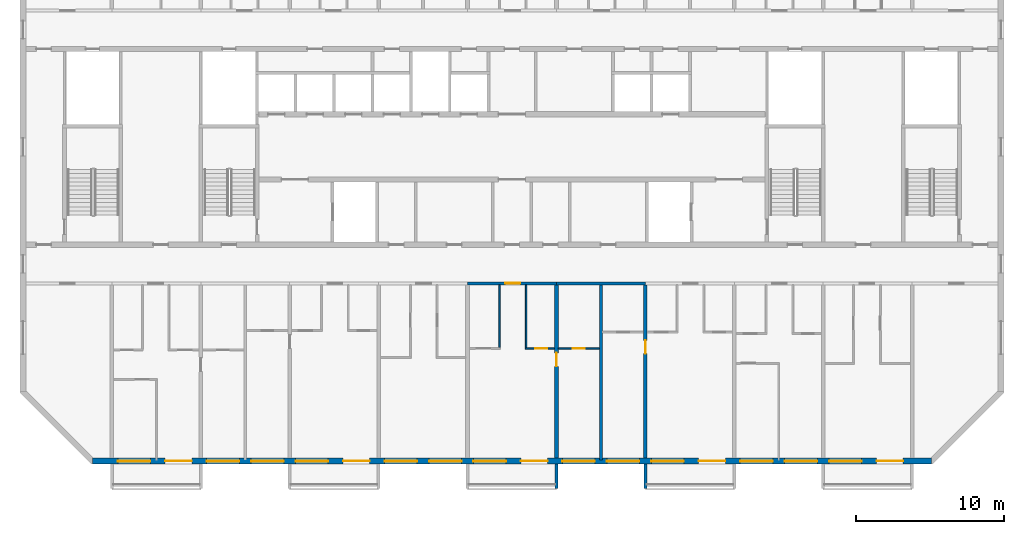
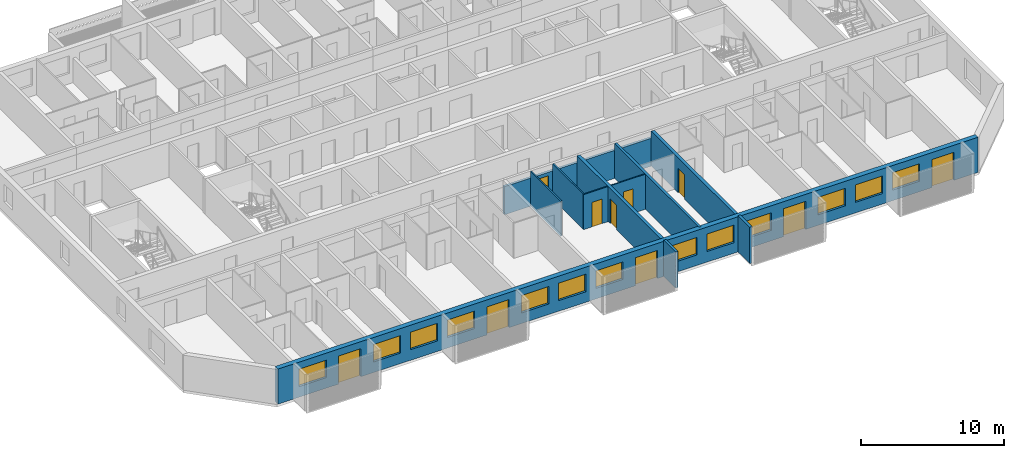
# One storey, part 6 of 20: 13 windows, 12 walls, 10 doors, 23 openings.
"""IFC4 building model written with IfcOpenShell, lengths in metres."""

from ifc_helpers import new_model, si_unit, direction, frame, frame_2d, origin, place, context, subcontext, project, spatial, polyline, rectangle, outline, extrude, source, transform, mapped, material, layer, layer_set, type_object, element, fill, save


model = new_model("IFC4")

# Units and contexts
model_context = context("Model", 3, precision=1e-05, world=origin(), true_north=direction((0.0, 1.0)))
body_context = subcontext(model_context, "Body", "Model", "MODEL_VIEW")
ifc_project = project(units=[si_unit("LENGTHUNIT", "METRE"), si_unit("AREAUNIT", "SQUARE_METRE"), si_unit("VOLUMEUNIT", "CUBIC_METRE"), si_unit("PLANEANGLEUNIT", "RADIAN"), si_unit("MASSUNIT", "GRAM", prefix="KILO")], contexts=[model_context])

# Site, building, storey
site_placement = place(None, origin())
site = spatial("IfcSite", under=ifc_project, at=site_placement, CompositionType="ELEMENT")
building_placement = place(site_placement, origin())
building = spatial("IfcBuilding", under=site, at=building_placement, Name="Poui Terraces", CompositionType="ELEMENT")
storey_placement = place(building_placement, frame((0.0, 0.0, 257.699951171875)))
storey = spatial("IfcBuildingStorey", under=building, at=storey_placement, Name="L72", CompositionType="ELEMENT", Elevation=257.699951171875)

# Wall, opening, door
ifc_material_1 = material(Name="Concrete 50 MPa", Category="concrete")
ifc_layer_1 = layer(ifc_material_1, 0.199951171875)
ifc_layer_set_1 = layer_set([ifc_layer_1], Name="Concrete 50 MPa")
wall_type_1 = type_object("IfcWallType", Name="CORRIDOR WALL 200 50MPa", PredefinedType="SHEAR", material=ifc_layer_set_1)
wall_1_placement = place(storey_placement, frame((48.0, 12.0, 0.0), z_axis=(0.0, 0.0, 1.0), x_axis=(1.0, 0.0, 0.0)))
wall_1 = element("IfcWall", 1, at=wall_1_placement, inside=storey, type_object=wall_type_1, Name="CORRIDOR WALL LINE B BAY 6", PredefinedType="SHEAR", context=body_context, shape_type="SweptSolid", body=[
    extrude(rectangle(XDim=6.0, YDim=0.199951171875, at=frame_2d((3.0, 0.0))), origin(), (0.0, 0.0, 1.0), 2.400146484375),
])
opening_1_placement = place(wall_1_placement, frame((2.550048828125, 0.0, 0.0)))
opening_1 = element("IfcOpeningElement", 2, at=opening_1_placement, cuts=wall_1, Name="Opening FD30S", PredefinedType="OPENING", context=body_context, shape_type="SweptSolid", body=[
    extrude(rectangle(XDim=1.0, YDim=2.10009765625, at=frame_2d((0.5, 1.050048828125))), frame((0.0, 0.10986328125, 0.0), z_axis=(0.0, -1.0, 0.0), x_axis=(1.0, 0.0, 0.0)), (0.0, 0.0, 1.0), 0.219970703125),
])
ifc_material_2 = material(Name="Steel fire door", Category="steel")
door_type_1 = type_object("IfcDoorType", Name="FLAT ENTRANCE DOOR 1000 X 2100", OperationType="NOTDEFINED", PredefinedType="DOOR", material=ifc_material_2)
door_1_placement = place(opening_1_placement, frame((1.0, 0.0, 0.0), z_axis=(0.0, 0.0, 1.0), x_axis=(-1.0, 0.0, 0.0)))
door_1 = element("IfcDoor", 3, at=door_1_placement, inside=storey, type_object=door_type_1, Name="FLAT ENTRANCE DOOR 078", OperationType="SINGLE_SWING_LEFT", OverallHeight=2.10009765625, OverallWidth=1.0, PredefinedType="DOOR", context=body_context, shape_type="SweptSolid", body=[
    extrude(rectangle(XDim=1.0, YDim=2.10009765625, at=frame_2d((0.5, 1.050048828125))), frame((0.0, 0.02490234375, 0.0), z_axis=(0.0, -1.0, 0.0), x_axis=(1.0, 0.0, 0.0)), (0.0, 0.0, 1.0), 0.050048828125),
])
fill(opening_1, door_1)

# Wall
wall_2_placement = place(storey_placement, frame((54.0, 12.0, 0.0), z_axis=(0.0, 0.0, 1.0), x_axis=(1.0, 0.0, 0.0)))
element("IfcWall", 4, at=wall_2_placement, inside=storey, type_object=wall_type_1, Name="CORRIDOR WALL LINE B BAY 7", PredefinedType="SHEAR", context=body_context, shape_type="SweptSolid", body=[
    extrude(rectangle(XDim=6.0, YDim=0.199951171875, at=frame_2d((3.0, 0.0))), origin(), (0.0, 0.0, 1.0), 2.400146484375),
])

# Wall, opening, door
ifc_layer_2 = layer(ifc_material_1, 0.25)
ifc_layer_set_2 = layer_set([ifc_layer_2], Name="Concrete 50 MPa")
wall_type_2 = type_object("IfcWallType", Name="CROSS WALL 250 50MPa", PredefinedType="SHEAR", material=ifc_layer_set_2)
wall_3_placement = place(storey_placement, frame((54.0, 0.199951171875, 0.0), z_axis=(0.0, 0.0, 1.0), x_axis=(0.0, 1.0, 0.0)))
wall_3 = element("IfcWall", 5, at=wall_3_placement, inside=storey, type_object=wall_type_2, Name="CROSS WALL LINE 10 SOUTH", PredefinedType="SHEAR", context=body_context, shape_type="SweptSolid", body=[
    extrude(rectangle(XDim=11.699951171875, YDim=0.25, at=frame_2d((5.85009765625, 0.0))), origin(), (0.0, 0.0, 1.0), 3.0),
])
opening_2_placement = place(wall_3_placement, frame((6.199951171875, 0.0, 0.0)))
opening_2 = element("IfcOpeningElement", 6, at=opening_2_placement, cuts=wall_3, Name="Opening D90", PredefinedType="OPENING", context=body_context, shape_type="SweptSolid", body=[
    extrude(rectangle(XDim=0.89990234375, YDim=2.10009765625, at=frame_2d((0.449951171875, 1.050048828125))), frame((0.0, 0.135009765625, 0.0), z_axis=(0.0, -1.0, 0.0), x_axis=(1.0, 0.0, 0.0)), (0.0, 0.0, 1.0), 0.27001953125),
])
ifc_material_3 = material(Name="Solid core timber door", Category="wood")
door_type_2 = type_object("IfcDoorType", Name="INTERNAL DOOR 900 X 2100", OperationType="NOTDEFINED", PredefinedType="DOOR", material=ifc_material_3)
door_2_placement = place(opening_2_placement, frame((0.89990234375, 0.0, 0.0), z_axis=(0.0, 0.0, 1.0), x_axis=(-1.0, 0.0, 0.0)))
door_2 = element("IfcDoor", 7, at=door_2_placement, inside=storey, type_object=door_type_2, Name="INTERNAL DOOR 080", OperationType="SINGLE_SWING_LEFT", OverallHeight=2.10009765625, OverallWidth=0.89990234375, PredefinedType="DOOR", context=body_context, shape_type="SweptSolid", body=[
    extrude(rectangle(XDim=0.89990234375, YDim=2.10009765625, at=frame_2d((0.449951171875, 1.050048828125))), frame((0.0, 0.02490234375, 0.0), z_axis=(0.0, -1.0, 0.0), x_axis=(1.0, 0.0, 0.0)), (0.0, 0.0, 1.0), 0.050048828125),
])
fill(opening_2, door_2)

wall_4_placement = place(storey_placement, frame((60.0, 0.199951171875, 0.0), z_axis=(0.0, 0.0, 1.0), x_axis=(0.0, 1.0, 0.0)))
wall_4 = element("IfcWall", 8, at=wall_4_placement, inside=storey, type_object=wall_type_2, Name="CROSS WALL LINE 11 SOUTH", PredefinedType="SHEAR", context=body_context, shape_type="SweptSolid", body=[
    extrude(rectangle(XDim=11.699951171875, YDim=0.25, at=frame_2d((5.85009765625, 0.0))), origin(), (0.0, 0.0, 1.0), 3.0),
])
opening_3_placement = place(wall_4_placement, frame((7.050048828125, 0.0, 0.0)))
opening_3 = element("IfcOpeningElement", 9, at=opening_3_placement, cuts=wall_4, Name="Opening D90", PredefinedType="OPENING", context=body_context, shape_type="SweptSolid", body=[
    extrude(rectangle(XDim=0.89990234375, YDim=2.10009765625, at=frame_2d((0.449951171875, 1.050048828125))), frame((0.0, 0.135009765625, 0.0), z_axis=(0.0, -1.0, 0.0), x_axis=(1.0, 0.0, 0.0)), (0.0, 0.0, 1.0), 0.27001953125),
])
door_3_placement = place(opening_3_placement, origin())
door_3 = element("IfcDoor", 10, at=door_3_placement, inside=storey, type_object=door_type_2, Name="INTERNAL DOOR 082", OperationType="SINGLE_SWING_RIGHT", OverallHeight=2.10009765625, OverallWidth=0.89990234375, PredefinedType="DOOR", context=body_context, shape_type="SweptSolid", body=[
    extrude(rectangle(XDim=0.89990234375, YDim=2.10009765625, at=frame_2d((0.449951171875, 1.050048828125))), frame((0.0, 0.02490234375, 0.0), z_axis=(0.0, -1.0, 0.0), x_axis=(1.0, 0.0, 0.0)), (0.0, 0.0, 1.0), 0.050048828125),
])
fill(opening_3, door_3)

# Wall, openings, doors, windows
ifc_material_4 = material(Name="Precast concrete 40 MPa", Category="concrete")
ifc_layer_3 = layer(ifc_material_4, 0.39990234375)
ifc_layer_set_3 = layer_set([ifc_layer_3], Name="Precast concrete 40 MPa")
wall_type_3 = type_object("IfcWallType", Name="EXTERNAL WALL 400", PredefinedType="STANDARD", material=ifc_layer_set_3)
wall_5_placement = place(storey_placement, frame((22.682861328125, 0.0, 0.0), z_axis=(0.0, 0.0, 1.0), x_axis=(1.0, 0.0, 0.0)))
wall_5 = element("IfcWall", 11, at=wall_5_placement, inside=storey, type_object=wall_type_3, Name="EXTERNAL WALL S", PredefinedType="STANDARD", context=body_context, shape_type="SweptSolid", body=[
    extrude(rectangle(XDim=56.63427734375, YDim=0.39990234375, at=frame_2d((28.317138671875, 0.0))), origin(), (0.0, 0.0, 1.0), 3.0),
])
opening_4_placement = place(wall_5_placement, frame((1.71728515625, 0.0, 0.89990234375)))
opening_4 = element("IfcOpeningElement", 12, at=opening_4_placement, cuts=wall_5, Name="Opening W1", PredefinedType="OPENING", context=body_context, shape_type="SweptSolid", body=[
    extrude(rectangle(XDim=2.199951171875, YDim=1.5, at=frame_2d((1.10009765625, 0.75))), frame((0.0, 0.2099609375, 0.0), z_axis=(0.0, -1.0, 0.0), x_axis=(1.0, 0.0, 0.0)), (0.0, 0.0, 1.0), 0.419921875),
])
opening_5_placement = place(wall_5_placement, frame((4.917236328125, 0.0, 0.0)))
opening_5 = element("IfcOpeningElement", 13, at=opening_5_placement, cuts=wall_5, Name="Opening BD1", PredefinedType="OPENING", context=body_context, shape_type="SweptSolid", body=[
    extrude(rectangle(XDim=1.800048828125, YDim=2.39990234375, at=frame_2d((0.89990234375, 1.199951171875))), frame((0.0, 0.2099609375, 0.0), z_axis=(0.0, -1.0, 0.0), x_axis=(1.0, 0.0, 0.0)), (0.0, 0.0, 1.0), 0.419921875),
])
opening_6_placement = place(wall_5_placement, frame((7.71728515625, 0.0, 0.89990234375)))
opening_6 = element("IfcOpeningElement", 14, at=opening_6_placement, cuts=wall_5, Name="Opening W1", PredefinedType="OPENING", context=body_context, shape_type="SweptSolid", body=[
    extrude(rectangle(XDim=2.199951171875, YDim=1.5, at=frame_2d((1.10009765625, 0.75))), frame((0.0, 0.2099609375, 0.0), z_axis=(0.0, -1.0, 0.0), x_axis=(1.0, 0.0, 0.0)), (0.0, 0.0, 1.0), 0.419921875),
])
opening_7_placement = place(wall_5_placement, frame((10.71728515625, 0.0, 0.89990234375)))
opening_7 = element("IfcOpeningElement", 15, at=opening_7_placement, cuts=wall_5, Name="Opening W1", PredefinedType="OPENING", context=body_context, shape_type="SweptSolid", body=[
    extrude(rectangle(XDim=2.199951171875, YDim=1.5, at=frame_2d((1.10009765625, 0.75))), frame((0.0, 0.2099609375, 0.0), z_axis=(0.0, -1.0, 0.0), x_axis=(1.0, 0.0, 0.0)), (0.0, 0.0, 1.0), 0.419921875),
])
opening_8_placement = place(wall_5_placement, frame((13.71728515625, 0.0, 0.89990234375)))
opening_8 = element("IfcOpeningElement", 16, at=opening_8_placement, cuts=wall_5, Name="Opening W1", PredefinedType="OPENING", context=body_context, shape_type="SweptSolid", body=[
    extrude(rectangle(XDim=2.199951171875, YDim=1.5, at=frame_2d((1.10009765625, 0.75))), frame((0.0, 0.2099609375, 0.0), z_axis=(0.0, -1.0, 0.0), x_axis=(1.0, 0.0, 0.0)), (0.0, 0.0, 1.0), 0.419921875),
])
opening_9_placement = place(wall_5_placement, frame((16.917236328125, 0.0, 0.0)))
opening_9 = element("IfcOpeningElement", 17, at=opening_9_placement, cuts=wall_5, Name="Opening BD1", PredefinedType="OPENING", context=body_context, shape_type="SweptSolid", body=[
    extrude(rectangle(XDim=1.800048828125, YDim=2.39990234375, at=frame_2d((0.89990234375, 1.199951171875))), frame((0.0, 0.2099609375, 0.0), z_axis=(0.0, -1.0, 0.0), x_axis=(1.0, 0.0, 0.0)), (0.0, 0.0, 1.0), 0.419921875),
])
opening_10_placement = place(wall_5_placement, frame((19.71728515625, 0.0, 0.89990234375)))
opening_10 = element("IfcOpeningElement", 18, at=opening_10_placement, cuts=wall_5, Name="Opening W1", PredefinedType="OPENING", context=body_context, shape_type="SweptSolid", body=[
    extrude(rectangle(XDim=2.199951171875, YDim=1.5, at=frame_2d((1.10009765625, 0.75))), frame((0.0, 0.2099609375, 0.0), z_axis=(0.0, -1.0, 0.0), x_axis=(1.0, 0.0, 0.0)), (0.0, 0.0, 1.0), 0.419921875),
])
opening_11_placement = place(wall_5_placement, frame((22.71728515625, 0.0, 0.89990234375)))
opening_11 = element("IfcOpeningElement", 19, at=opening_11_placement, cuts=wall_5, Name="Opening W1", PredefinedType="OPENING", context=body_context, shape_type="SweptSolid", body=[
    extrude(rectangle(XDim=2.199951171875, YDim=1.5, at=frame_2d((1.10009765625, 0.75))), frame((0.0, 0.2099609375, 0.0), z_axis=(0.0, -1.0, 0.0), x_axis=(1.0, 0.0, 0.0)), (0.0, 0.0, 1.0), 0.419921875),
])
opening_12_placement = place(wall_5_placement, frame((25.71728515625, 0.0, 0.89990234375)))
opening_12 = element("IfcOpeningElement", 20, at=opening_12_placement, cuts=wall_5, Name="Opening W1", PredefinedType="OPENING", context=body_context, shape_type="SweptSolid", body=[
    extrude(rectangle(XDim=2.199951171875, YDim=1.5, at=frame_2d((1.10009765625, 0.75))), frame((0.0, 0.2099609375, 0.0), z_axis=(0.0, -1.0, 0.0), x_axis=(1.0, 0.0, 0.0)), (0.0, 0.0, 1.0), 0.419921875),
])
opening_13_placement = place(wall_5_placement, frame((28.917236328125, 0.0, 0.0)))
opening_13 = element("IfcOpeningElement", 21, at=opening_13_placement, cuts=wall_5, Name="Opening BD1", PredefinedType="OPENING", context=body_context, shape_type="SweptSolid", body=[
    extrude(rectangle(XDim=1.800048828125, YDim=2.39990234375, at=frame_2d((0.89990234375, 1.199951171875))), frame((0.0, 0.2099609375, 0.0), z_axis=(0.0, -1.0, 0.0), x_axis=(1.0, 0.0, 0.0)), (0.0, 0.0, 1.0), 0.419921875),
])
opening_14_placement = place(wall_5_placement, frame((31.71728515625, 0.0, 0.89990234375)))
opening_14 = element("IfcOpeningElement", 22, at=opening_14_placement, cuts=wall_5, Name="Opening W1", PredefinedType="OPENING", context=body_context, shape_type="SweptSolid", body=[
    extrude(rectangle(XDim=2.199951171875, YDim=1.5, at=frame_2d((1.10009765625, 0.75))), frame((0.0, 0.2099609375, 0.0), z_axis=(0.0, -1.0, 0.0), x_axis=(1.0, 0.0, 0.0)), (0.0, 0.0, 1.0), 0.419921875),
])
opening_15_placement = place(wall_5_placement, frame((34.71728515625, 0.0, 0.89990234375)))
opening_15 = element("IfcOpeningElement", 23, at=opening_15_placement, cuts=wall_5, Name="Opening W1", PredefinedType="OPENING", context=body_context, shape_type="SweptSolid", body=[
    extrude(rectangle(XDim=2.199951171875, YDim=1.5, at=frame_2d((1.10009765625, 0.75))), frame((0.0, 0.2099609375, 0.0), z_axis=(0.0, -1.0, 0.0), x_axis=(1.0, 0.0, 0.0)), (0.0, 0.0, 1.0), 0.419921875),
])
opening_16_placement = place(wall_5_placement, frame((37.71728515625, 0.0, 0.89990234375)))
opening_16 = element("IfcOpeningElement", 24, at=opening_16_placement, cuts=wall_5, Name="Opening W1", PredefinedType="OPENING", context=body_context, shape_type="SweptSolid", body=[
    extrude(rectangle(XDim=2.199951171875, YDim=1.5, at=frame_2d((1.10009765625, 0.75))), frame((0.0, 0.2099609375, 0.0), z_axis=(0.0, -1.0, 0.0), x_axis=(1.0, 0.0, 0.0)), (0.0, 0.0, 1.0), 0.419921875),
])
opening_17_placement = place(wall_5_placement, frame((40.917236328125, 0.0, 0.0)))
opening_17 = element("IfcOpeningElement", 25, at=opening_17_placement, cuts=wall_5, Name="Opening BD1", PredefinedType="OPENING", context=body_context, shape_type="SweptSolid", body=[
    extrude(rectangle(XDim=1.800048828125, YDim=2.39990234375, at=frame_2d((0.89990234375, 1.199951171875))), frame((0.0, 0.2099609375, 0.0), z_axis=(0.0, -1.0, 0.0), x_axis=(1.0, 0.0, 0.0)), (0.0, 0.0, 1.0), 0.419921875),
])
opening_18_placement = place(wall_5_placement, frame((43.71728515625, 0.0, 0.89990234375)))
opening_18 = element("IfcOpeningElement", 26, at=opening_18_placement, cuts=wall_5, Name="Opening W1", PredefinedType="OPENING", context=body_context, shape_type="SweptSolid", body=[
    extrude(rectangle(XDim=2.199951171875, YDim=1.5, at=frame_2d((1.10009765625, 0.75))), frame((0.0, 0.2099609375, 0.0), z_axis=(0.0, -1.0, 0.0), x_axis=(1.0, 0.0, 0.0)), (0.0, 0.0, 1.0), 0.419921875),
])
opening_19_placement = place(wall_5_placement, frame((46.71728515625, 0.0, 0.89990234375)))
opening_19 = element("IfcOpeningElement", 27, at=opening_19_placement, cuts=wall_5, Name="Opening W1", PredefinedType="OPENING", context=body_context, shape_type="SweptSolid", body=[
    extrude(rectangle(XDim=2.199951171875, YDim=1.5, at=frame_2d((1.10009765625, 0.75))), frame((0.0, 0.2099609375, 0.0), z_axis=(0.0, -1.0, 0.0), x_axis=(1.0, 0.0, 0.0)), (0.0, 0.0, 1.0), 0.419921875),
])
opening_20_placement = place(wall_5_placement, frame((49.71728515625, 0.0, 0.89990234375)))
opening_20 = element("IfcOpeningElement", 28, at=opening_20_placement, cuts=wall_5, Name="Opening W1", PredefinedType="OPENING", context=body_context, shape_type="SweptSolid", body=[
    extrude(rectangle(XDim=2.199951171875, YDim=1.5, at=frame_2d((1.10009765625, 0.75))), frame((0.0, 0.2099609375, 0.0), z_axis=(0.0, -1.0, 0.0), x_axis=(1.0, 0.0, 0.0)), (0.0, 0.0, 1.0), 0.419921875),
])
opening_21_placement = place(wall_5_placement, frame((52.917236328125, 0.0, 0.0)))
opening_21 = element("IfcOpeningElement", 29, at=opening_21_placement, cuts=wall_5, Name="Opening BD1", PredefinedType="OPENING", context=body_context, shape_type="SweptSolid", body=[
    extrude(rectangle(XDim=1.800048828125, YDim=2.39990234375, at=frame_2d((0.89990234375, 1.199951171875))), frame((0.0, 0.2099609375, 0.0), z_axis=(0.0, -1.0, 0.0), x_axis=(1.0, 0.0, 0.0)), (0.0, 0.0, 1.0), 0.419921875),
])
ifc_material_5 = material(Name="Clear glass in aluminium frame", Category="aluminium")
door_type_3 = type_object("IfcDoorType", Name="BALCONY DOOR 1800X2400", OperationType="DOUBLE_DOOR_SLIDING", PredefinedType="DOOR", material=ifc_material_5)
door_4_placement = place(opening_5_placement, origin())
door_4 = element("IfcDoor", 30, at=door_4_placement, inside=storey, type_object=door_type_3, Name="BD1 BALCONY DOOR", OperationType="DOUBLE_DOOR_SLIDING", OverallHeight=2.39990234375, OverallWidth=1.800048828125, PredefinedType="DOOR", context=body_context, shape_type="SweptSolid", body=[
    extrude(rectangle(XDim=1.800048828125, YDim=2.39990234375, at=frame_2d((0.89990234375, 1.199951171875))), frame((0.0, 0.02490234375, 0.0), z_axis=(0.0, -1.0, 0.0), x_axis=(1.0, 0.0, 0.0)), (0.0, 0.0, 1.0), 0.050048828125),
])
fill(opening_5, door_4)
door_5_placement = place(opening_9_placement, origin())
door_5 = element("IfcDoor", 31, at=door_5_placement, inside=storey, type_object=door_type_3, Name="BD1 BALCONY DOOR", OperationType="DOUBLE_DOOR_SLIDING", OverallHeight=2.39990234375, OverallWidth=1.800048828125, PredefinedType="DOOR", context=body_context, shape_type="SweptSolid", body=[
    extrude(rectangle(XDim=1.800048828125, YDim=2.39990234375, at=frame_2d((0.89990234375, 1.199951171875))), frame((0.0, 0.02490234375, 0.0), z_axis=(0.0, -1.0, 0.0), x_axis=(1.0, 0.0, 0.0)), (0.0, 0.0, 1.0), 0.050048828125),
])
fill(opening_9, door_5)
door_6_placement = place(opening_13_placement, origin())
door_6 = element("IfcDoor", 32, at=door_6_placement, inside=storey, type_object=door_type_3, Name="BD1 BALCONY DOOR", OperationType="DOUBLE_DOOR_SLIDING", OverallHeight=2.39990234375, OverallWidth=1.800048828125, PredefinedType="DOOR", context=body_context, shape_type="SweptSolid", body=[
    extrude(rectangle(XDim=1.800048828125, YDim=2.39990234375, at=frame_2d((0.89990234375, 1.199951171875))), frame((0.0, 0.02490234375, 0.0), z_axis=(0.0, -1.0, 0.0), x_axis=(1.0, 0.0, 0.0)), (0.0, 0.0, 1.0), 0.050048828125),
])
fill(opening_13, door_6)
door_7_placement = place(opening_17_placement, origin())
door_7 = element("IfcDoor", 33, at=door_7_placement, inside=storey, type_object=door_type_3, Name="BD1 BALCONY DOOR", OperationType="DOUBLE_DOOR_SLIDING", OverallHeight=2.39990234375, OverallWidth=1.800048828125, PredefinedType="DOOR", context=body_context, shape_type="SweptSolid", body=[
    extrude(rectangle(XDim=1.800048828125, YDim=2.39990234375, at=frame_2d((0.89990234375, 1.199951171875))), frame((0.0, 0.02490234375, 0.0), z_axis=(0.0, -1.0, 0.0), x_axis=(1.0, 0.0, 0.0)), (0.0, 0.0, 1.0), 0.050048828125),
])
fill(opening_17, door_7)
door_8_placement = place(opening_21_placement, origin())
door_8 = element("IfcDoor", 34, at=door_8_placement, inside=storey, type_object=door_type_3, Name="BD1 BALCONY DOOR", OperationType="DOUBLE_DOOR_SLIDING", OverallHeight=2.39990234375, OverallWidth=1.800048828125, PredefinedType="DOOR", context=body_context, shape_type="SweptSolid", body=[
    extrude(rectangle(XDim=1.800048828125, YDim=2.39990234375, at=frame_2d((0.89990234375, 1.199951171875))), frame((0.0, 0.02490234375, 0.0), z_axis=(0.0, -1.0, 0.0), x_axis=(1.0, 0.0, 0.0)), (0.0, 0.0, 1.0), 0.050048828125),
])
fill(opening_21, door_8)
window_type = type_object("IfcWindowType", Name="WINDOW 2200X1500", PartitioningType="DOUBLE_PANEL_HORIZONTAL", PredefinedType="WINDOW", material=ifc_material_5)
window_1_placement = place(opening_4_placement, origin())
window_1 = element("IfcWindow", 35, at=window_1_placement, inside=storey, type_object=window_type, Name="W1 WINDOW", OverallHeight=1.5, OverallWidth=2.199951171875, PartitioningType="DOUBLE_PANEL_HORIZONTAL", PredefinedType="WINDOW", context=body_context, shape_type="SweptSolid", body=[
    extrude(rectangle(XDim=2.199951171875, YDim=1.5, at=frame_2d((1.10009765625, 0.75))), frame((0.0, 0.030029296875, 0.0), z_axis=(0.0, -1.0, 0.0), x_axis=(1.0, 0.0, 0.0)), (0.0, 0.0, 1.0), 0.06005859375),
])
fill(opening_4, window_1)
window_2_placement = place(opening_6_placement, origin())
window_2 = element("IfcWindow", 36, at=window_2_placement, inside=storey, type_object=window_type, Name="W1 WINDOW", OverallHeight=1.5, OverallWidth=2.199951171875, PartitioningType="DOUBLE_PANEL_HORIZONTAL", PredefinedType="WINDOW", context=body_context, shape_type="SweptSolid", body=[
    extrude(rectangle(XDim=2.199951171875, YDim=1.5, at=frame_2d((1.10009765625, 0.75))), frame((0.0, 0.030029296875, 0.0), z_axis=(0.0, -1.0, 0.0), x_axis=(1.0, 0.0, 0.0)), (0.0, 0.0, 1.0), 0.06005859375),
])
fill(opening_6, window_2)
window_3_placement = place(opening_7_placement, origin())
window_3 = element("IfcWindow", 37, at=window_3_placement, inside=storey, type_object=window_type, Name="W1 WINDOW", OverallHeight=1.5, OverallWidth=2.199951171875, PartitioningType="DOUBLE_PANEL_HORIZONTAL", PredefinedType="WINDOW", context=body_context, shape_type="SweptSolid", body=[
    extrude(rectangle(XDim=2.199951171875, YDim=1.5, at=frame_2d((1.10009765625, 0.75))), frame((0.0, 0.030029296875, 0.0), z_axis=(0.0, -1.0, 0.0), x_axis=(1.0, 0.0, 0.0)), (0.0, 0.0, 1.0), 0.06005859375),
])
fill(opening_7, window_3)
window_4_placement = place(opening_8_placement, origin())
window_4 = element("IfcWindow", 38, at=window_4_placement, inside=storey, type_object=window_type, Name="W1 WINDOW", OverallHeight=1.5, OverallWidth=2.199951171875, PartitioningType="DOUBLE_PANEL_HORIZONTAL", PredefinedType="WINDOW", context=body_context, shape_type="SweptSolid", body=[
    extrude(rectangle(XDim=2.199951171875, YDim=1.5, at=frame_2d((1.10009765625, 0.75))), frame((0.0, 0.030029296875, 0.0), z_axis=(0.0, -1.0, 0.0), x_axis=(1.0, 0.0, 0.0)), (0.0, 0.0, 1.0), 0.06005859375),
])
fill(opening_8, window_4)
window_5_placement = place(opening_10_placement, origin())
window_5 = element("IfcWindow", 39, at=window_5_placement, inside=storey, type_object=window_type, Name="W1 WINDOW", OverallHeight=1.5, OverallWidth=2.199951171875, PartitioningType="DOUBLE_PANEL_HORIZONTAL", PredefinedType="WINDOW", context=body_context, shape_type="SweptSolid", body=[
    extrude(rectangle(XDim=2.199951171875, YDim=1.5, at=frame_2d((1.10009765625, 0.75))), frame((0.0, 0.030029296875, 0.0), z_axis=(0.0, -1.0, 0.0), x_axis=(1.0, 0.0, 0.0)), (0.0, 0.0, 1.0), 0.06005859375),
])
fill(opening_10, window_5)
window_6_placement = place(opening_11_placement, origin())
window_6 = element("IfcWindow", 40, at=window_6_placement, inside=storey, type_object=window_type, Name="W1 WINDOW", OverallHeight=1.5, OverallWidth=2.199951171875, PartitioningType="DOUBLE_PANEL_HORIZONTAL", PredefinedType="WINDOW", context=body_context, shape_type="SweptSolid", body=[
    extrude(rectangle(XDim=2.199951171875, YDim=1.5, at=frame_2d((1.10009765625, 0.75))), frame((0.0, 0.030029296875, 0.0), z_axis=(0.0, -1.0, 0.0), x_axis=(1.0, 0.0, 0.0)), (0.0, 0.0, 1.0), 0.06005859375),
])
fill(opening_11, window_6)
window_7_placement = place(opening_12_placement, origin())
window_7 = element("IfcWindow", 41, at=window_7_placement, inside=storey, type_object=window_type, Name="W1 WINDOW", OverallHeight=1.5, OverallWidth=2.199951171875, PartitioningType="DOUBLE_PANEL_HORIZONTAL", PredefinedType="WINDOW", context=body_context, shape_type="SweptSolid", body=[
    extrude(rectangle(XDim=2.199951171875, YDim=1.5, at=frame_2d((1.10009765625, 0.75))), frame((0.0, 0.030029296875, 0.0), z_axis=(0.0, -1.0, 0.0), x_axis=(1.0, 0.0, 0.0)), (0.0, 0.0, 1.0), 0.06005859375),
])
fill(opening_12, window_7)
window_8_placement = place(opening_14_placement, origin())
window_8 = element("IfcWindow", 42, at=window_8_placement, inside=storey, type_object=window_type, Name="W1 WINDOW", OverallHeight=1.5, OverallWidth=2.199951171875, PartitioningType="DOUBLE_PANEL_HORIZONTAL", PredefinedType="WINDOW", context=body_context, shape_type="SweptSolid", body=[
    extrude(rectangle(XDim=2.199951171875, YDim=1.5, at=frame_2d((1.10009765625, 0.75))), frame((0.0, 0.030029296875, 0.0), z_axis=(0.0, -1.0, 0.0), x_axis=(1.0, 0.0, 0.0)), (0.0, 0.0, 1.0), 0.06005859375),
])
fill(opening_14, window_8)
window_9_placement = place(opening_15_placement, origin())
window_9 = element("IfcWindow", 43, at=window_9_placement, inside=storey, type_object=window_type, Name="W1 WINDOW", OverallHeight=1.5, OverallWidth=2.199951171875, PartitioningType="DOUBLE_PANEL_HORIZONTAL", PredefinedType="WINDOW", context=body_context, shape_type="SweptSolid", body=[
    extrude(rectangle(XDim=2.199951171875, YDim=1.5, at=frame_2d((1.10009765625, 0.75))), frame((0.0, 0.030029296875, 0.0), z_axis=(0.0, -1.0, 0.0), x_axis=(1.0, 0.0, 0.0)), (0.0, 0.0, 1.0), 0.06005859375),
])
fill(opening_15, window_9)
window_10_placement = place(opening_16_placement, origin())
window_10 = element("IfcWindow", 44, at=window_10_placement, inside=storey, type_object=window_type, Name="W1 WINDOW", OverallHeight=1.5, OverallWidth=2.199951171875, PartitioningType="DOUBLE_PANEL_HORIZONTAL", PredefinedType="WINDOW", context=body_context, shape_type="SweptSolid", body=[
    extrude(rectangle(XDim=2.199951171875, YDim=1.5, at=frame_2d((1.10009765625, 0.75))), frame((0.0, 0.030029296875, 0.0), z_axis=(0.0, -1.0, 0.0), x_axis=(1.0, 0.0, 0.0)), (0.0, 0.0, 1.0), 0.06005859375),
])
fill(opening_16, window_10)
window_11_placement = place(opening_18_placement, origin())
window_11 = element("IfcWindow", 45, at=window_11_placement, inside=storey, type_object=window_type, Name="W1 WINDOW", OverallHeight=1.5, OverallWidth=2.199951171875, PartitioningType="DOUBLE_PANEL_HORIZONTAL", PredefinedType="WINDOW", context=body_context, shape_type="SweptSolid", body=[
    extrude(rectangle(XDim=2.199951171875, YDim=1.5, at=frame_2d((1.10009765625, 0.75))), frame((0.0, 0.030029296875, 0.0), z_axis=(0.0, -1.0, 0.0), x_axis=(1.0, 0.0, 0.0)), (0.0, 0.0, 1.0), 0.06005859375),
])
fill(opening_18, window_11)
window_12_placement = place(opening_19_placement, origin())
window_12 = element("IfcWindow", 46, at=window_12_placement, inside=storey, type_object=window_type, Name="W1 WINDOW", OverallHeight=1.5, OverallWidth=2.199951171875, PartitioningType="DOUBLE_PANEL_HORIZONTAL", PredefinedType="WINDOW", context=body_context, shape_type="SweptSolid", body=[
    extrude(rectangle(XDim=2.199951171875, YDim=1.5, at=frame_2d((1.10009765625, 0.75))), frame((0.0, 0.030029296875, 0.0), z_axis=(0.0, -1.0, 0.0), x_axis=(1.0, 0.0, 0.0)), (0.0, 0.0, 1.0), 0.06005859375),
])
fill(opening_19, window_12)
window_13_placement = place(opening_20_placement, origin())
window_13 = element("IfcWindow", 47, at=window_13_placement, inside=storey, type_object=window_type, Name="W1 WINDOW", OverallHeight=1.5, OverallWidth=2.199951171875, PartitioningType="DOUBLE_PANEL_HORIZONTAL", PredefinedType="WINDOW", context=body_context, shape_type="SweptSolid", body=[
    extrude(rectangle(XDim=2.199951171875, YDim=1.5, at=frame_2d((1.10009765625, 0.75))), frame((0.0, 0.030029296875, 0.0), z_axis=(0.0, -1.0, 0.0), x_axis=(1.0, 0.0, 0.0)), (0.0, 0.0, 1.0), 0.06005859375),
])
fill(opening_20, window_13)

# Wall, opening, door
ifc_material_6 = material(Name="Plasterboard partition")
ifc_layer_4 = layer(ifc_material_6, 0.10009765625)
ifc_layer_set_4 = layer_set([ifc_layer_4], Name="Plasterboard partition")
wall_type_4 = type_object("IfcWallType", Name="FLAT PARTITION 100", PredefinedType="PARTITIONING", material=ifc_layer_set_4)
wall_6_placement = place(storey_placement, frame((51.89990234375, 7.60009765625, 0.0), z_axis=(0.0, 0.0, 1.0), x_axis=(1.0, 0.0, 0.0)))
wall_6 = element("IfcWall", 48, at=wall_6_placement, inside=storey, type_object=wall_type_4, Name="FLAT PARTITION 100", PredefinedType="PARTITIONING", context=body_context, shape_type="SweptSolid", body=[
    extrude(rectangle(XDim=1.965087890625, YDim=0.10009765625, at=frame_2d((0.982421875, 0.0))), origin(), (0.0, 0.0, 1.0), 3.0),
])
opening_22_placement = place(wall_6_placement, frame((0.675048828125, 0.0, 0.0)))
opening_22 = element("IfcOpeningElement", 49, at=opening_22_placement, cuts=wall_6, Name="Opening D80", PredefinedType="OPENING", context=body_context, shape_type="SweptSolid", body=[
    extrude(rectangle(XDim=0.800048828125, YDim=2.10009765625, at=frame_2d((0.39990234375, 1.050048828125))), frame((0.0, 0.06005859375, 0.0), z_axis=(0.0, -1.0, 0.0), x_axis=(1.0, 0.0, 0.0)), (0.0, 0.0, 1.0), 0.1201171875),
])
door_type_4 = type_object("IfcDoorType", Name="BATHROOM, LAUNDRY AND STORE DOOR 800 X 2100", OperationType="NOTDEFINED", PredefinedType="DOOR", material=ifc_material_3)
door_9_placement = place(opening_22_placement, origin())
door_9 = element("IfcDoor", 50, at=door_9_placement, inside=storey, type_object=door_type_4, Name="BATHROOM, LAUNDRY AND STORE DOOR 079", OperationType="SINGLE_SWING_LEFT", OverallHeight=2.10009765625, OverallWidth=0.800048828125, PredefinedType="DOOR", context=body_context, shape_type="SweptSolid", body=[
    extrude(rectangle(XDim=0.800048828125, YDim=2.10009765625, at=frame_2d((0.39990234375, 1.050048828125))), frame((0.0, 0.02490234375, 0.0), z_axis=(0.0, -1.0, 0.0), x_axis=(1.0, 0.0, 0.0)), (0.0, 0.0, 1.0), 0.050048828125),
])
fill(opening_22, door_9)

wall_7_placement = place(storey_placement, frame((54.135009765625, 7.60009765625, 0.0), z_axis=(0.0, 0.0, 1.0), x_axis=(1.0, 0.0, 0.0)))
wall_7 = element("IfcWall", 51, at=wall_7_placement, inside=storey, type_object=wall_type_4, Name="FLAT PARTITION 100", PredefinedType="PARTITIONING", context=body_context, shape_type="SweptSolid", body=[
    extrude(rectangle(XDim=2.764892578125, YDim=0.10009765625, at=frame_2d((1.38232421875, 0.0))), origin(), (0.0, 0.0, 1.0), 3.0),
])
opening_23_placement = place(wall_7_placement, frame((0.965087890625, 0.0, 0.0)))
opening_23 = element("IfcOpeningElement", 52, at=opening_23_placement, cuts=wall_7, Name="Opening D80", PredefinedType="OPENING", context=body_context, shape_type="SweptSolid", body=[
    extrude(rectangle(XDim=0.800048828125, YDim=2.10009765625, at=frame_2d((0.39990234375, 1.050048828125))), frame((0.0, 0.06005859375, 0.0), z_axis=(0.0, -1.0, 0.0), x_axis=(1.0, 0.0, 0.0)), (0.0, 0.0, 1.0), 0.1201171875),
])
door_10_placement = place(opening_23_placement, origin())
door_10 = element("IfcDoor", 53, at=door_10_placement, inside=storey, type_object=door_type_4, Name="BATHROOM, LAUNDRY AND STORE DOOR 076", OperationType="SINGLE_SWING_LEFT", OverallHeight=2.10009765625, OverallWidth=0.800048828125, PredefinedType="DOOR", context=body_context, shape_type="SweptSolid", body=[
    extrude(rectangle(XDim=0.800048828125, YDim=2.10009765625, at=frame_2d((0.39990234375, 1.050048828125))), frame((0.0, 0.02490234375, 0.0), z_axis=(0.0, -1.0, 0.0), x_axis=(1.0, 0.0, 0.0)), (0.0, 0.0, 1.0), 0.050048828125),
])
fill(opening_23, door_10)

# Walls
for number, where, z_axis, x_axis, name in (
    (54, (50.14990234375, 7.64990234375, 0.0), (0.0, 0.0, 1.0), (0.0, 1.0, 0.0), "FLAT PARTITION 100"),
    (55, (51.949951171875, 7.64990234375, 0.0), (0.0, 0.0, 1.0), (0.0, 1.0, 0.0), "FLAT PARTITION 100"),
):
    element("IfcWall", number, at=place(storey_placement, frame(where, z_axis=z_axis, x_axis=x_axis)), inside=storey, type_object=wall_type_4, Name=name, PredefinedType="PARTITIONING", context=body_context, shape_type="SweptSolid", body=[
        extrude(rectangle(XDim=4.239990234375, YDim=0.10009765625, at=frame_2d((2.1201171875, 0.0))), origin(), (0.0, 0.0, 1.0), 3.0),
    ])
ifc_material_7 = material(Name="Fire-rated masonry wall", Category="masonry")
ifc_layer_5 = layer(ifc_material_7, 0.199951171875)
ifc_layer_set_5 = layer_set([ifc_layer_5], Name="Fire-rated masonry wall")
wall_type_5 = type_object("IfcWallType", Name="FLAT PARTY WALL 200", PredefinedType="PARTITIONING", material=ifc_layer_set_5)
wall_8_placement = place(storey_placement, frame((57.0, 0.06005859375, 0.0), z_axis=(0.0, 0.0, 1.0), x_axis=(0.0, 1.0, 0.0)))
element("IfcWall", 56, at=wall_8_placement, inside=storey, type_object=wall_type_5, Name="FLAT PARTY WALL 200", PredefinedType="PARTITIONING", context=body_context, shape_type="SweptSolid", body=[
    extrude(rectangle(XDim=11.829833984375, YDim=0.199951171875, at=frame_2d((5.9150390625, 0.0))), origin(), (0.0, 0.0, 1.0), 3.0),
])
ifc_layer_6 = layer(ifc_material_4, 0.199951171875)
ifc_layer_set_6 = layer_set([ifc_layer_6], Name="Precast concrete 40 MPa")
wall_type_6 = type_object("IfcWallType", Name="REAR FIN 200", PredefinedType="STANDARD", material=ifc_layer_set_6)
shared_shape = source(origin(), body_context, "Body", "SweptSolid", [
    extrude(outline(polyline([(0.0, 0.0), (0.2001953125, 0.0), (0.2001953125, 1.650146484375), (0.0, 1.650146484375), (0.0, 0.0)])), origin(), (0.0, 0.0, 1.0), 3.10009765625),
])
for number, where, name in (
    (57, (53.89990234375, -1.85009765625, 0.0), "REAR FIN"),
    (58, (59.89990234375, -1.85009765625, 0.0), "REAR FIN"),
):
    element("IfcWall", number, at=place(storey_placement, frame(where)), inside=storey, type_object=wall_type_6, Name=name, PredefinedType="STANDARD", context=body_context, shape_type="MappedRepresentation", body=[
        mapped(shared_shape, transform((0.0, 0.0, 0.0))),
    ])

save(model, "model.ifc")
